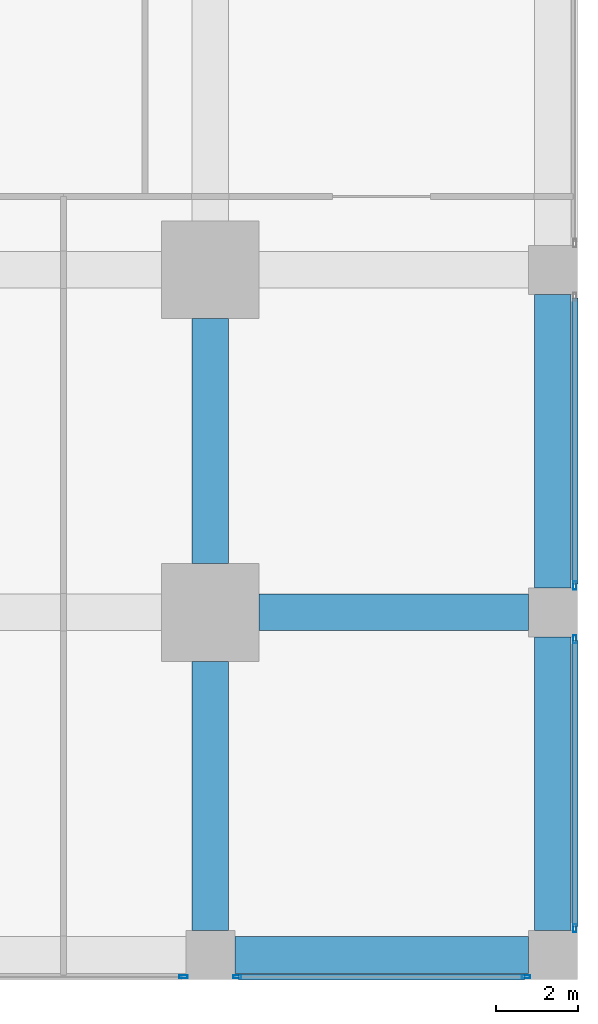
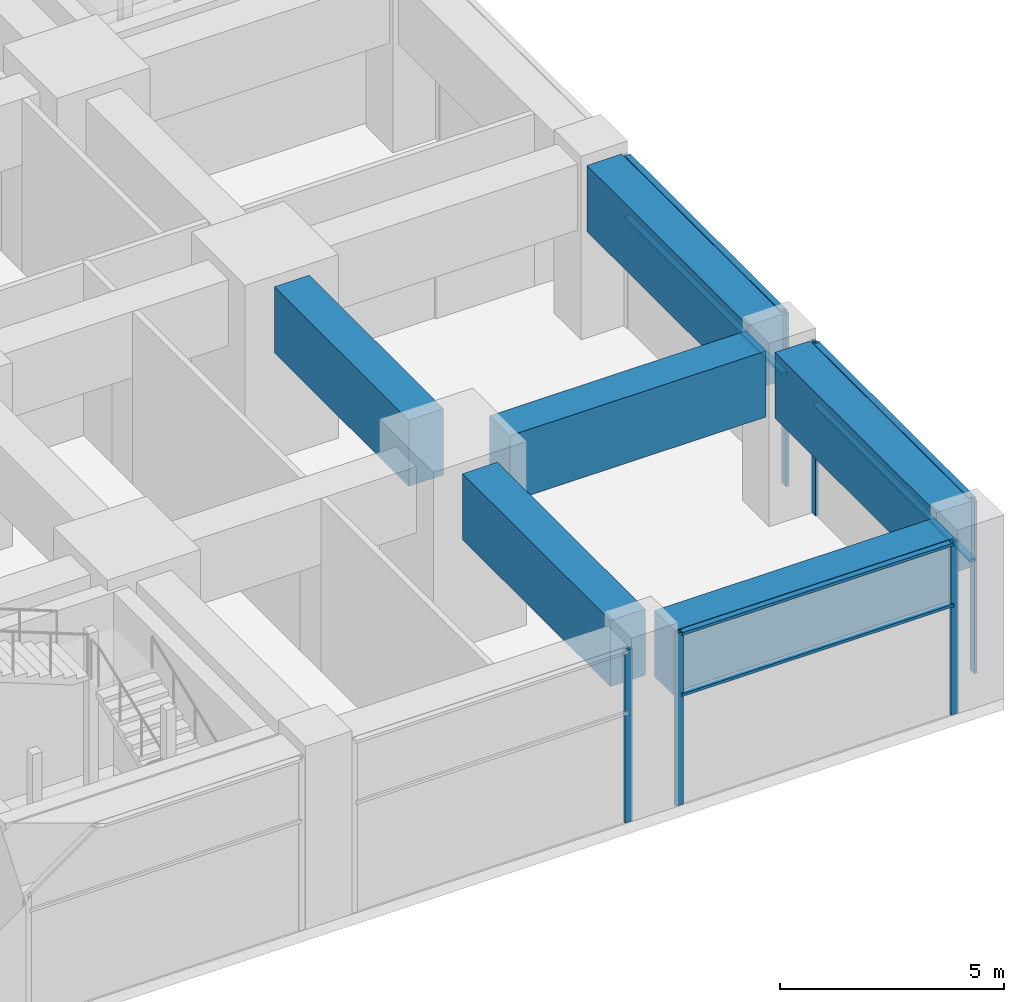
# One storey, part 30 of 49: 12 members, 6 beams, 4 elements without a shape of their own.
"""IFC4 building model written with IfcOpenShell, lengths in metres."""

from ifc_helpers import new_model, si_unit, direction, frame, origin, origin_2d, place, context, subcontext, project, spatial, rectangle, hollow_rectangle, extrude, material, material_profile, profile_set, type_object, element, aggregate, save


model = new_model("IFC4")

# Units and contexts
model_context = context("Model", 3, precision=1e-05, world=origin(), true_north=direction((0.0, 1.0)))
body_context = subcontext(model_context, "Body", "Model", "MODEL_VIEW")
ifc_project = project(units=[si_unit("LENGTHUNIT", "METRE"), si_unit("AREAUNIT", "SQUARE_METRE"), si_unit("VOLUMEUNIT", "CUBIC_METRE"), si_unit("PLANEANGLEUNIT", "RADIAN"), si_unit("MASSUNIT", "GRAM", prefix="KILO")], contexts=[model_context])

# Site, building, storey
site_placement = place(None, origin())
site = spatial("IfcSite", under=ifc_project, at=site_placement, CompositionType="ELEMENT")
building_placement = place(site_placement, origin())
building = spatial("IfcBuilding", under=site, at=building_placement, Name="Rekha Terrace Tower", CompositionType="ELEMENT")
storey_placement = place(building_placement, frame((0.0, 0.0, 10.39990234375)))
storey = spatial("IfcBuildingStorey", under=building, at=storey_placement, Name="L02", CompositionType="ELEMENT", Elevation=10.39990234375)

# Curtain wall, member
ifc_material_1 = material(Name="Aluminium framing", Category="aluminium")
curtain_wall_type = type_object("IfcCurtainWallType", Name="CW4 podium shopfront glazing", PredefinedType="USERDEFINED", material=ifc_material_1)
curtain_wall_1_placement = place(storey_placement, origin())
curtain_wall_1 = element("IfcCurtainWall", 1, at=curtain_wall_1_placement, inside=storey, type_object=curtain_wall_type, Name="CW4 shopfront curtain wall", ObjectType="SHOPFRONT CURTAIN WALL", PredefinedType="USERDEFINED")
ifc_material_2 = material(Name="Aluminium mullion section", Category="aluminium")
ifc_material_profile_1 = material_profile(ifc_material_2, hollow_rectangle(XDim=0.074951171875, YDim=0.199951171875, WallThickness=0.00390625, at=origin_2d()), Name="AL RHS 75x200")
ifc_profile_set_1 = profile_set([ifc_material_profile_1], Name="Aluminium mullion section")
member_type_1 = type_object("IfcMemberType", Name="CW4 mullion RHS 75 x 200", PredefinedType="MULLION", material=ifc_profile_set_1)
member_1_placement = place(storey_placement, frame((66.54248046875, -0.5400390625, 0.0), z_axis=(0.0, 0.0, 1.0), x_axis=(0.0, 1.0, 0.0)))
member_1 = element("IfcMember", 2, at=member_1_placement, type_object=member_type_1, Name="CW4 mullion 2", PredefinedType="MULLION", context=body_context, shape_type="SweptSolid", body=[
    extrude(hollow_rectangle(XDim=0.074951171875, YDim=0.199951171875, WallThickness=0.00390625, at=origin_2d()), origin(), (0.0, 0.0, 1.0), 4.7001953125),
])
aggregate(curtain_wall_1, [member_1])

# Curtain wall, members
curtain_wall_2_placement = place(storey_placement, origin())
curtain_wall_2 = element("IfcCurtainWall", 3, at=curtain_wall_2_placement, inside=storey, type_object=curtain_wall_type, Name="CW4 shopfront curtain wall", ObjectType="SHOPFRONT CURTAIN WALL", PredefinedType="USERDEFINED")
member_2_placement = place(storey_placement, frame((67.857421875, -0.5400390625, 0.0), z_axis=(0.0, 0.0, 1.0), x_axis=(0.0, 1.0, 0.0)))
member_2 = element("IfcMember", 4, at=member_2_placement, type_object=member_type_1, Name="CW4 mullion 1", PredefinedType="MULLION", context=body_context, shape_type="SweptSolid", body=[
    extrude(hollow_rectangle(XDim=0.074951171875, YDim=0.199951171875, WallThickness=0.00390625, at=origin_2d()), origin(), (0.0, 0.0, 1.0), 4.7001953125),
])
member_3_placement = place(storey_placement, frame((74.9423828125, -0.5400390625, 0.0), z_axis=(0.0, 0.0, 1.0), x_axis=(0.0, 1.0, 0.0)))
member_3 = element("IfcMember", 5, at=member_3_placement, type_object=member_type_1, Name="CW4 mullion 2", PredefinedType="MULLION", context=body_context, shape_type="SweptSolid", body=[
    extrude(hollow_rectangle(XDim=0.074951171875, YDim=0.199951171875, WallThickness=0.00390625, at=origin_2d()), origin(), (0.0, 0.0, 1.0), 4.7001953125),
])

curtain_wall_3_placement = place(storey_placement, origin())
curtain_wall_3 = element("IfcCurtainWall", 6, at=curtain_wall_3_placement, inside=storey, type_object=curtain_wall_type, Name="CW4 shopfront curtain wall", ObjectType="SHOPFRONT CURTAIN WALL", PredefinedType="USERDEFINED")
member_4_placement = place(storey_placement, frame((76.139892578125, 0.657470703125, 0.0), z_axis=(0.0, 0.0, 1.0), x_axis=(-1.0, 0.0, 0.0)))
member_4 = element("IfcMember", 7, at=member_4_placement, type_object=member_type_1, Name="CW4 mullion 1", PredefinedType="MULLION", context=body_context, shape_type="SweptSolid", body=[
    extrude(hollow_rectangle(XDim=0.074951171875, YDim=0.199951171875, WallThickness=0.00390625, at=origin_2d()), origin(), (0.0, 0.0, 1.0), 4.7001953125),
])
member_5_placement = place(storey_placement, frame((76.139892578125, 7.742431640625, 0.0), z_axis=(0.0, 0.0, 1.0), x_axis=(-1.0, 0.0, 0.0)))
member_5 = element("IfcMember", 8, at=member_5_placement, type_object=member_type_1, Name="CW4 mullion 2", PredefinedType="MULLION", context=body_context, shape_type="SweptSolid", body=[
    extrude(hollow_rectangle(XDim=0.074951171875, YDim=0.199951171875, WallThickness=0.00390625, at=origin_2d()), origin(), (0.0, 0.0, 1.0), 4.7001953125),
])

# Curtain wall, member
curtain_wall_4_placement = place(storey_placement, origin())
curtain_wall_4 = element("IfcCurtainWall", 9, at=curtain_wall_4_placement, inside=storey, type_object=curtain_wall_type, Name="CW4 shopfront curtain wall", ObjectType="SHOPFRONT CURTAIN WALL", PredefinedType="USERDEFINED")
member_6_placement = place(storey_placement, frame((76.139892578125, 9.0576171875, 0.0), z_axis=(0.0, 0.0, 1.0), x_axis=(-1.0, 0.0, 0.0)))
member_6 = element("IfcMember", 10, at=member_6_placement, type_object=member_type_1, Name="CW4 mullion 1", PredefinedType="MULLION", context=body_context, shape_type="SweptSolid", body=[
    extrude(hollow_rectangle(XDim=0.074951171875, YDim=0.199951171875, WallThickness=0.00390625, at=origin_2d()), origin(), (0.0, 0.0, 1.0), 4.7001953125),
])

# Member
ifc_material_3 = material(Name="Aluminium transom section", Category="aluminium")
ifc_material_profile_2 = material_profile(ifc_material_3, hollow_rectangle(XDim=0.14990234375, YDim=0.074951171875, WallThickness=0.0029296875, at=origin_2d()), Name="AL RHS 150x75")
ifc_profile_set_2 = profile_set([ifc_material_profile_2], Name="Aluminium transom section")
member_type_2 = type_object("IfcMemberType", Name="CW4 transom RHS 75 x 150", PredefinedType="USERDEFINED", material=ifc_profile_set_2)
member_7_placement = place(storey_placement, frame((67.89501953125, -0.5400390625, 3.0), z_axis=(1.0, 0.0, 0.0), x_axis=(0.0, 1.0, 0.0)))
member_7 = element("IfcMember", 11, at=member_7_placement, type_object=member_type_2, Name="CW4 transom 1.2", ObjectType="TRANSOM", PredefinedType="USERDEFINED", context=body_context, shape_type="SweptSolid", body=[
    extrude(hollow_rectangle(XDim=0.14990234375, YDim=0.074951171875, WallThickness=0.0029296875, at=origin_2d()), origin(), (0.0, 0.0, 1.0), 7.010009765625),
])

member_8_placement = place(storey_placement, frame((67.89501953125, -0.5400390625, 4.66259765625), z_axis=(1.0, 0.0, 0.0), x_axis=(0.0, 1.0, 0.0)))
member_8 = element("IfcMember", 12, at=member_8_placement, type_object=member_type_2, Name="CW4 transom 1.3", ObjectType="TRANSOM", PredefinedType="USERDEFINED", context=body_context, shape_type="SweptSolid", body=[
    extrude(hollow_rectangle(XDim=0.14990234375, YDim=0.074951171875, WallThickness=0.0029296875, at=origin_2d()), origin(), (0.0, 0.0, 1.0), 7.010009765625),
])

aggregate(curtain_wall_2, [member_2, member_3, member_7, member_8])

member_9_placement = place(storey_placement, frame((76.139892578125, 0.695068359375, 3.0), z_axis=(0.0, 1.0, 0.0), x_axis=(-1.0, 0.0, 0.0)))
member_9 = element("IfcMember", 13, at=member_9_placement, type_object=member_type_2, Name="CW4 transom 1.2", ObjectType="TRANSOM", PredefinedType="USERDEFINED", context=body_context, shape_type="SweptSolid", body=[
    extrude(hollow_rectangle(XDim=0.14990234375, YDim=0.074951171875, WallThickness=0.0029296875, at=origin_2d()), origin(), (0.0, 0.0, 1.0), 7.010009765625),
])

member_10_placement = place(storey_placement, frame((76.139892578125, 0.695068359375, 4.66259765625), z_axis=(0.0, 1.0, 0.0), x_axis=(-1.0, 0.0, 0.0)))
member_10 = element("IfcMember", 14, at=member_10_placement, type_object=member_type_2, Name="CW4 transom 1.3", ObjectType="TRANSOM", PredefinedType="USERDEFINED", context=body_context, shape_type="SweptSolid", body=[
    extrude(hollow_rectangle(XDim=0.14990234375, YDim=0.074951171875, WallThickness=0.0029296875, at=origin_2d()), origin(), (0.0, 0.0, 1.0), 7.010009765625),
])

aggregate(curtain_wall_3, [member_4, member_5, member_9, member_10])

member_11_placement = place(storey_placement, frame((76.139892578125, 9.094970703125, 3.0), z_axis=(0.0, 1.0, 0.0), x_axis=(-1.0, 0.0, 0.0)))
member_11 = element("IfcMember", 15, at=member_11_placement, type_object=member_type_2, Name="CW4 transom 1.2", ObjectType="TRANSOM", PredefinedType="USERDEFINED", context=body_context, shape_type="SweptSolid", body=[
    extrude(hollow_rectangle(XDim=0.14990234375, YDim=0.074951171875, WallThickness=0.0029296875, at=origin_2d()), origin(), (0.0, 0.0, 1.0), 7.010009765625),
])

member_12_placement = place(storey_placement, frame((76.139892578125, 9.094970703125, 4.66259765625), z_axis=(0.0, 1.0, 0.0), x_axis=(-1.0, 0.0, 0.0)))
member_12 = element("IfcMember", 16, at=member_12_placement, type_object=member_type_2, Name="CW4 transom 1.3", ObjectType="TRANSOM", PredefinedType="USERDEFINED", context=body_context, shape_type="SweptSolid", body=[
    extrude(hollow_rectangle(XDim=0.14990234375, YDim=0.074951171875, WallThickness=0.0029296875, at=origin_2d()), origin(), (0.0, 0.0, 1.0), 7.010009765625),
])

aggregate(curtain_wall_4, [member_6, member_11, member_12])

# Beams
ifc_material_4 = material(Name="Concrete M60", Category="concrete")
ifc_material_profile_3 = material_profile(ifc_material_4, rectangle(XDim=0.89990234375, YDim=1.800048828125, at=origin_2d()), Name="RC 900x1800")
ifc_profile_set_3 = profile_set([ifc_material_profile_3], Name="Concrete M60")
beam_type = type_object("IfcBeamType", Name="G1 900x1800 podium floor beam", PredefinedType="BEAM", material=ifc_profile_set_3)
beam_1_placement = place(storey_placement, frame((67.800048828125, 0.0, 3.800048828125), z_axis=(1.0, 0.0, 0.0), x_axis=(0.0, 1.0, 0.0)))
element("IfcBeam", 17, at=beam_1_placement, inside=storey, type_object=beam_type, Name="Beam G1 9A-10A under L03", PredefinedType="BEAM", context=body_context, shape_type="SweptSolid", body=[
    extrude(rectangle(XDim=0.89990234375, YDim=1.800048828125, at=origin_2d()), origin(), (0.0, 0.0, 1.0), 7.199951171875),
])
beam_2_placement = place(storey_placement, frame((67.199951171875, 0.60009765625, 3.800048828125), z_axis=(0.0, 1.0, 0.0), x_axis=(-1.0, 0.0, 0.0)))
element("IfcBeam", 18, at=beam_2_placement, inside=storey, type_object=beam_type, Name="Beam G1 9A-9B under L03", PredefinedType="BEAM", context=body_context, shape_type="SweptSolid", body=[
    extrude(rectangle(XDim=0.89990234375, YDim=1.800048828125, at=origin_2d()), origin(), (0.0, 0.0, 1.0), 6.599853515625),
])
beam_3_placement = place(storey_placement, frame((68.39990234375, 8.39990234375, 3.800048828125), z_axis=(1.0, 0.0, 0.0), x_axis=(0.0, 1.0, 0.0)))
element("IfcBeam", 19, at=beam_3_placement, inside=storey, type_object=beam_type, Name="Beam G1 9B-10B under L03", PredefinedType="BEAM", context=body_context, shape_type="SweptSolid", body=[
    extrude(rectangle(XDim=0.89990234375, YDim=1.800048828125, at=origin_2d()), origin(), (0.0, 0.0, 1.0), 6.60009765625),
])
beam_4_placement = place(storey_placement, frame((67.199951171875, 9.60009765625, 3.800048828125), z_axis=(0.0, 1.0, 0.0), x_axis=(-1.0, 0.0, 0.0)))
element("IfcBeam", 20, at=beam_4_placement, inside=storey, type_object=beam_type, Name="Beam G1 9B-9C under L03", PredefinedType="BEAM", context=body_context, shape_type="SweptSolid", body=[
    extrude(rectangle(XDim=0.89990234375, YDim=1.800048828125, at=origin_2d()), origin(), (0.0, 0.0, 1.0), 6.0),
])
for number, where, z_axis, x_axis, name in (
    (21, (75.60009765625, 0.60009765625, 3.800048828125), (0.0, 1.0, 0.0), (-1.0, 0.0, 0.0), "Beam G1 10A-10B under L03"),
    (22, (75.60009765625, 9.0, 3.800048828125), (0.0, 1.0, 0.0), (-1.0, 0.0, 0.0), "Beam G1 10B-10C under L03"),
):
    element("IfcBeam", number, at=place(storey_placement, frame(where, z_axis=z_axis, x_axis=x_axis)), inside=storey, type_object=beam_type, Name=name, PredefinedType="BEAM", context=body_context, shape_type="SweptSolid", body=[
        extrude(rectangle(XDim=0.89990234375, YDim=1.800048828125, at=origin_2d()), origin(), (0.0, 0.0, 1.0), 7.199951171875),
    ])

save(model, "model.ifc")
